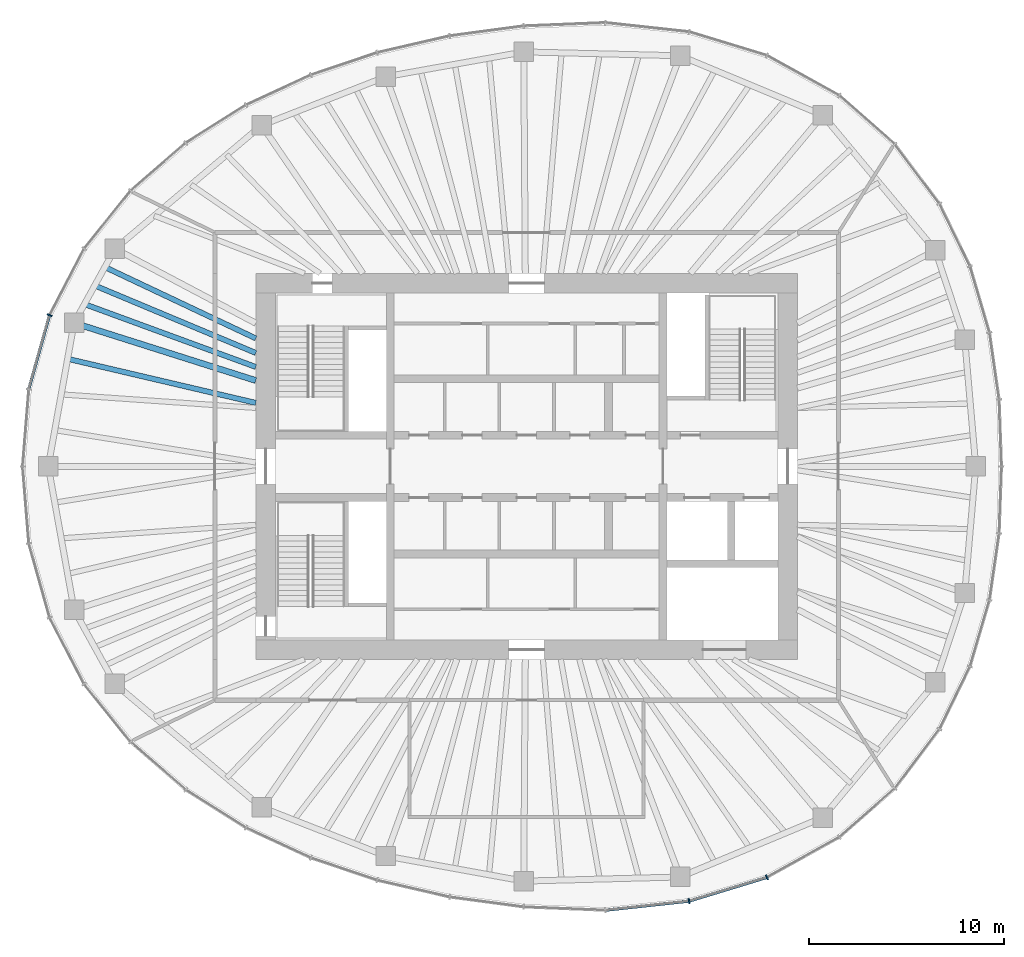
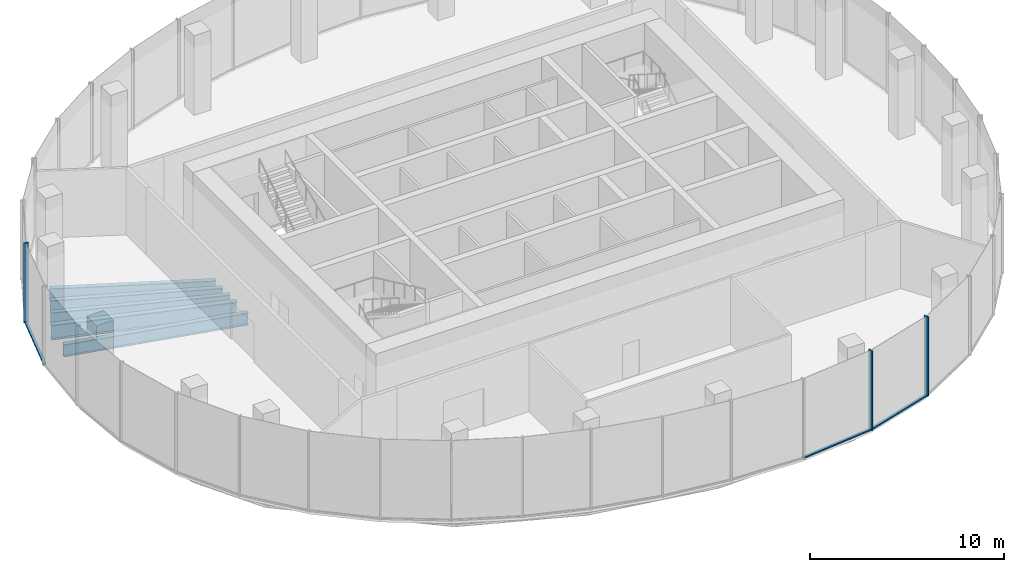
# One storey, part 3 of 11: 6 members, 5 beams, 3 elements without a shape of their own.
"""IFC4 building model written with IfcOpenShell, lengths in metres."""

from ifc_helpers import new_model, si_unit, direction, frame, origin, origin_2d, place, context, subcontext, project, spatial, rectangle, i_section, extrude, material, material_profile, profile_set, type_object, element, aggregate, save


model = new_model("IFC4")

# Units and contexts
model_context = context("Model", 3, precision=1e-05, world=origin(), true_north=direction((0.0, 1.0)))
body_context = subcontext(model_context, "Body", "Model", "MODEL_VIEW")
ifc_project = project(units=[si_unit("LENGTHUNIT", "METRE"), si_unit("AREAUNIT", "SQUARE_METRE"), si_unit("VOLUMEUNIT", "CUBIC_METRE"), si_unit("PLANEANGLEUNIT", "RADIAN"), si_unit("MASSUNIT", "GRAM", prefix="KILO")], contexts=[model_context])

# Site, building, storey
site_placement = place(None, origin())
site = spatial("IfcSite", under=ifc_project, at=site_placement, CompositionType="ELEMENT")
building_placement = place(site_placement, origin())
building = spatial("IfcBuilding", under=site, at=building_placement, Name="Ghaith Harvest Tower", CompositionType="ELEMENT")
storey_placement = place(building_placement, frame((0.0, 0.0, 344.199951171875)))
storey = spatial("IfcBuildingStorey", under=building, at=storey_placement, Name="L77", CompositionType="ELEMENT", Elevation=344.199951171875)

# Curtain wall, member
ifc_material_1 = material(Name="Black anodised aluminium and fritted glass", Category="aluminium")
curtain_wall_type = type_object("IfcCurtainWallType", Name="CW-C CURTAIN WALL", PredefinedType="NOTDEFINED", material=ifc_material_1)
curtain_wall_1_placement = place(storey_placement, origin())
curtain_wall_1 = element("IfcCurtainWall", 1, at=curtain_wall_1_placement, inside=storey, type_object=curtain_wall_type, Name="Curtain wall CW-C bay 10 L77", PredefinedType="NOTDEFINED")
ifc_material_2 = material(Name="Aluminium, black anodised", Category="aluminium")
ifc_material_profile_1 = material_profile(ifc_material_2, rectangle(XDim=0.080078125, YDim=0.260009765625, at=origin_2d()), Name="CW-C MULLION 80x260")
ifc_profile_set_1 = profile_set([ifc_material_profile_1], Name="Aluminium, black anodised")
member_type_1 = type_object("IfcMemberType", Name="CW-C MULLION 80x260", PredefinedType="MULLION", material=ifc_profile_set_1)
member_1_placement = place(storey_placement, frame((-24.482666015625, 7.759033203125, 0.0), z_axis=(0.0, 0.0, 1.0), x_axis=(-0.366473104961, -0.930428644948, 0.0)))
member_1 = element("IfcMember", 2, at=member_1_placement, type_object=member_type_1, Name="CW-C mullion 1 bay 10 L77", PredefinedType="MULLION", context=body_context, shape_type="SweptSolid", body=[
    extrude(rectangle(XDim=0.080078125, YDim=0.260009765625, at=origin_2d()), origin(), (0.0, 0.0, 1.0), 5.0),
])

# Curtain wall, members
curtain_wall_2_placement = place(storey_placement, origin())
curtain_wall_2 = element("IfcCurtainWall", 3, at=curtain_wall_2_placement, inside=storey, type_object=curtain_wall_type, Name="Curtain wall CW-C bay 17 L77", PredefinedType="NOTDEFINED")
member_2_placement = place(storey_placement, frame((8.33984375, -22.308837890625, 0.0), z_axis=(0.0, 0.0, 1.0), x_axis=(0.980000193265, 0.198996535647, 0.0)))
member_2 = element("IfcMember", 4, at=member_2_placement, type_object=member_type_1, Name="CW-C mullion 1 bay 17 L77", PredefinedType="MULLION", context=body_context, shape_type="SweptSolid", body=[
    extrude(rectangle(XDim=0.080078125, YDim=0.260009765625, at=origin_2d()), origin(), (0.0, 0.0, 1.0), 5.0),
])
member_3_placement = place(storey_placement, frame((12.334228515625, -21.091796875, 0.0), z_axis=(0.0, 0.0, 1.0), x_axis=(0.920319269335, 0.391168048914, 0.0)))
member_3 = element("IfcMember", 5, at=member_3_placement, type_object=member_type_1, Name="CW-C mullion 2 bay 17 L77", PredefinedType="MULLION", context=body_context, shape_type="SweptSolid", body=[
    extrude(rectangle(XDim=0.080078125, YDim=0.260009765625, at=origin_2d()), origin(), (0.0, 0.0, 1.0), 5.0),
])

# Member
ifc_material_3 = material(Name="Aluminium, black anodised", Category="aluminium")
ifc_material_profile_2 = material_profile(ifc_material_3, rectangle(XDim=0.159912109375, YDim=0.080078125, at=origin_2d()), Name="CW-C TRANSOM 160x80")
ifc_profile_set_2 = profile_set([ifc_material_profile_2], Name="Aluminium, black anodised")
member_type_2 = type_object("IfcMemberType", Name="CW-C TRANSOM 160x80", PredefinedType="USERDEFINED", material=ifc_profile_set_2)
member_4_placement = place(storey_placement, frame((-24.49365234375, 7.720458984375, 0.0400390625), z_axis=(-0.270340422972, -0.962764797709, 0.0), x_axis=(0.962764797709, -0.270340422972, 0.0)))
member_4 = element("IfcMember", 6, at=member_4_placement, type_object=member_type_2, Name="CW-C transom 1 bay 10 L77", ObjectType="TRANSOM", PredefinedType="USERDEFINED", context=body_context, shape_type="SweptSolid", body=[
    extrude(rectangle(XDim=0.159912109375, YDim=0.080078125, at=origin_2d()), origin(), (0.0, 0.0, 1.0), 3.874267578125),
])

aggregate(curtain_wall_1, [member_1, member_4])

# Curtain wall, member
curtain_wall_3_placement = place(storey_placement, origin())
curtain_wall_3 = element("IfcCurtainWall", 7, at=curtain_wall_3_placement, inside=storey, type_object=curtain_wall_type, Name="Curtain wall CW-C bay 16 L77", PredefinedType="NOTDEFINED")
member_5_placement = place(storey_placement, frame((4.077392578125, -22.772216796875, 0.0400390625), z_axis=(0.994144463069, 0.108059180768, 0.0), x_axis=(-0.108059180768, 0.994144463069, 0.0)))
member_5 = element("IfcMember", 8, at=member_5_placement, type_object=member_type_2, Name="CW-C transom 2 bay 16 L77", ObjectType="TRANSOM", PredefinedType="USERDEFINED", context=body_context, shape_type="SweptSolid", body=[
    extrude(rectangle(XDim=0.159912109375, YDim=0.080078125, at=origin_2d()), origin(), (0.0, 0.0, 1.0), 4.24755859375),
])
aggregate(curtain_wall_3, [member_5])

# Member
member_6_placement = place(storey_placement, frame((8.378173828125, -22.297119140625, 0.0400390625), z_axis=(0.956593713342, 0.291424891858, 0.0), x_axis=(-0.291424891858, 0.956593713342, 0.0)))
member_6 = element("IfcMember", 9, at=member_6_placement, type_object=member_type_2, Name="CW-C transom 1 bay 17 L77", ObjectType="TRANSOM", PredefinedType="USERDEFINED", context=body_context, shape_type="SweptSolid", body=[
    extrude(rectangle(XDim=0.159912109375, YDim=0.080078125, at=origin_2d()), origin(), (0.0, 0.0, 1.0), 4.095703125),
])

aggregate(curtain_wall_2, [member_2, member_6, member_3])

# Beams
ifc_material_4 = material(Name="Steel ASTM A992 Grade 50", Category="steel")
ifc_material_profile_3 = material_profile(ifc_material_4, i_section(OverallWidth=0.31005859375, OverallDepth=0.927001953125, WebThickness=0.019287109375, FlangeThickness=0.031982421875, at=origin_2d()), Name="W920X289")
ifc_profile_set_3 = profile_set([ifc_material_profile_3], Name="Steel ASTM A992 Grade 50")
beam_type_1 = type_object("IfcBeamType", Name="G920-289 W920X289", PredefinedType="BEAM", material=ifc_profile_set_3)
beam_1_placement = place(storey_placement, frame((-13.89990234375, 4.4052734375, -0.763427734375), z_axis=(-0.953278508772, 0.302092841215, 0.0), x_axis=(-0.302092841215, -0.953278508772, 0.0)))
element("IfcBeam", 10, at=beam_1_placement, inside=storey, type_object=beam_type_1, Name="Radial girder G10 L77", PredefinedType="BEAM", context=body_context, shape_type="SweptSolid", body=[
    extrude(i_section(OverallWidth=0.31005859375, OverallDepth=0.927001953125, WebThickness=0.019287109375, FlangeThickness=0.031982421875, at=origin_2d()), origin(), (0.0, 0.0, 1.0), 9.78125),
])
ifc_material_5 = material(Name="Steel ASTM A992 Grade 50", Category="steel")
ifc_material_profile_4 = material_profile(ifc_material_5, i_section(OverallWidth=0.26806640625, OverallDepth=0.77001953125, WebThickness=0.015625, FlangeThickness=0.025390625, at=origin_2d()), Name="W760X196")
ifc_profile_set_4 = profile_set([ifc_material_profile_4], Name="Steel ASTM A992 Grade 50")
beam_type_2 = type_object("IfcBeamType", Name="J760-196 W760X196", PredefinedType="JOIST", material=ifc_profile_set_4)
beam_2_placement = place(storey_placement, frame((-13.89990234375, 6.56787109375, -0.68505859375), z_axis=(-0.904165769726, 0.427181765594, 0.0), x_axis=(-0.427181765594, -0.904165769726, 0.0)))
element("IfcBeam", 11, at=beam_2_placement, inside=storey, type_object=beam_type_2, Name="Joist J09.1 L77", PredefinedType="JOIST", context=body_context, shape_type="SweptSolid", body=[
    extrude(i_section(OverallWidth=0.26806640625, OverallDepth=0.77001953125, WebThickness=0.015625, FlangeThickness=0.025390625, at=origin_2d()), origin(), (0.0, 0.0, 1.0), 8.564208984375),
])
beam_3_placement = place(storey_placement, frame((-13.89990234375, 5.82080078125, -0.68505859375), z_axis=(-0.922394258818, 0.38624970071, 0.0), x_axis=(-0.38624970071, -0.922394258818, 0.0)))
element("IfcBeam", 12, at=beam_3_placement, inside=storey, type_object=beam_type_2, Name="Joist J09.2 L77", PredefinedType="JOIST", context=body_context, shape_type="SweptSolid", body=[
    extrude(i_section(OverallWidth=0.26806640625, OverallDepth=0.77001953125, WebThickness=0.015625, FlangeThickness=0.025390625, at=origin_2d()), origin(), (0.0, 0.0, 1.0), 8.959716796875),
])
beam_4_placement = place(storey_placement, frame((-13.89990234375, 5.101318359375, -0.68505859375), z_axis=(-0.938776837502, 0.34452583266, 0.0), x_axis=(-0.34452583266, -0.938776837502, 0.0)))
element("IfcBeam", 13, at=beam_4_placement, inside=storey, type_object=beam_type_2, Name="Joist J09.3 L77", PredefinedType="JOIST", context=body_context, shape_type="SweptSolid", body=[
    extrude(i_section(OverallWidth=0.26806640625, OverallDepth=0.77001953125, WebThickness=0.015625, FlangeThickness=0.025390625, at=origin_2d()), origin(), (0.0, 0.0, 1.0), 9.36376953125),
])
beam_5_placement = place(storey_placement, frame((-13.89990234375, 3.257080078125, -0.68505859375), z_axis=(-0.973623403271, 0.228161058472, 0.0), x_axis=(-0.228161058472, -0.973623403271, 0.0)))
element("IfcBeam", 14, at=beam_5_placement, inside=storey, type_object=beam_type_2, Name="Joist J10.1 L77", PredefinedType="JOIST", context=body_context, shape_type="SweptSolid", body=[
    extrude(i_section(OverallWidth=0.26806640625, OverallDepth=0.77001953125, WebThickness=0.015625, FlangeThickness=0.025390625, at=origin_2d()), origin(), (0.0, 0.0, 1.0), 9.9169921875),
])

save(model, "model.ifc")
